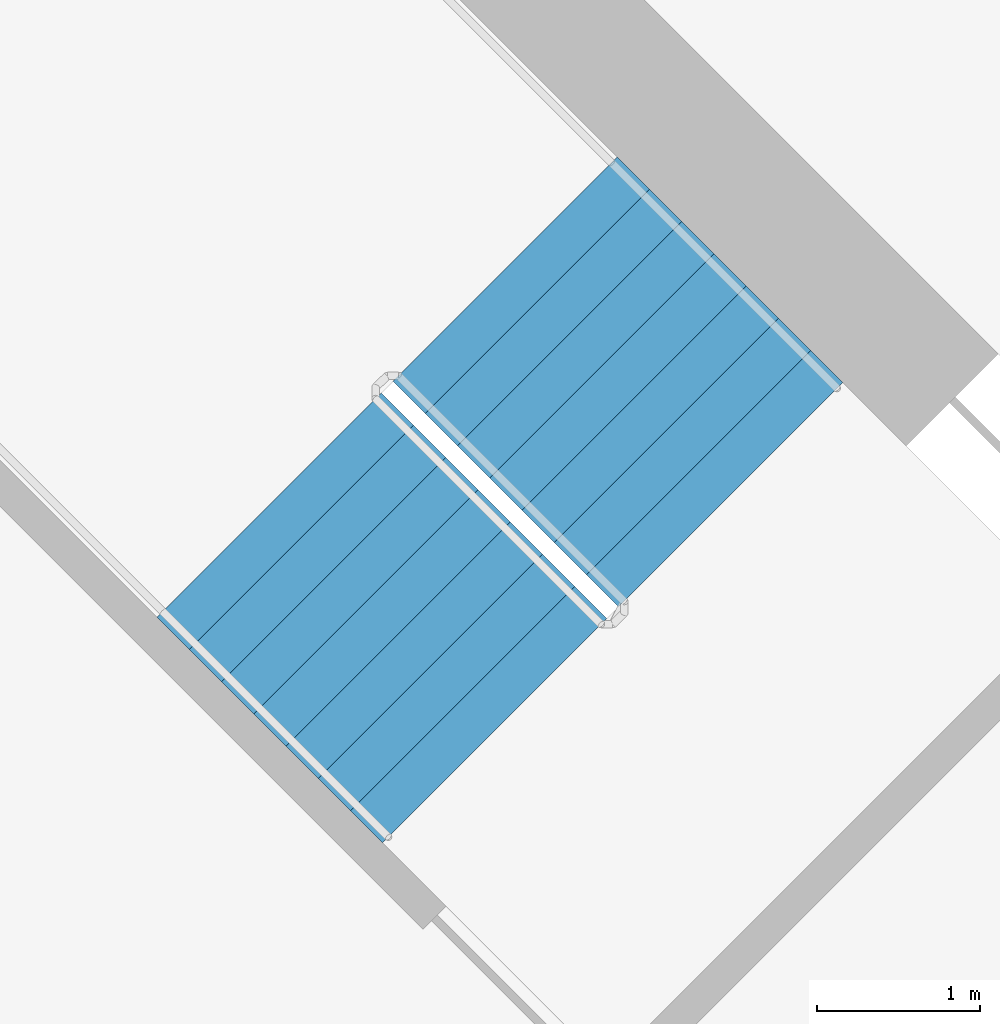
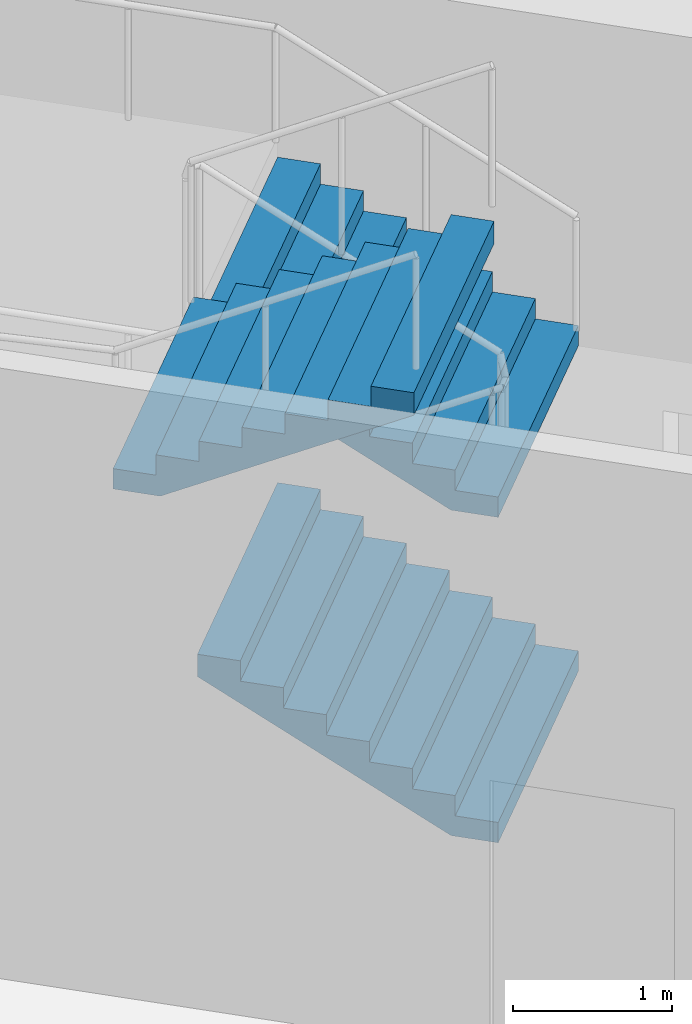
# One storey, part 18 of 20: 3 stair flights, 1 element without a shape of its own.
"""IFC4 building model written with IfcOpenShell, lengths in metres."""

from ifc_helpers import new_model, si_unit, direction, frame, origin, place, context, subcontext, project, spatial, triangles, material, type_object, element, aggregate, save


model = new_model("IFC4")

# Units and contexts
model_context = context("Model", 3, precision=1e-05, world=origin(), true_north=direction((0.0, 1.0)))
body_context = subcontext(model_context, "Body", "Model", "MODEL_VIEW")
ifc_project = project(units=[si_unit("LENGTHUNIT", "METRE"), si_unit("AREAUNIT", "SQUARE_METRE"), si_unit("VOLUMEUNIT", "CUBIC_METRE"), si_unit("PLANEANGLEUNIT", "RADIAN"), si_unit("MASSUNIT", "GRAM", prefix="KILO")], contexts=[model_context])

# Site, building, storey
site_placement = place(None, origin())
site = spatial("IfcSite", under=ifc_project, at=site_placement, CompositionType="ELEMENT")
building_placement = place(site_placement, origin())
building = spatial("IfcBuilding", under=site, at=building_placement, Name="Verdalira Terraces Hotel", CompositionType="ELEMENT")
storey_placement = place(building_placement, frame((0.0, 0.0, 81.0)))
storey = spatial("IfcBuildingStorey", under=building, at=storey_placement, Name="L18", CompositionType="ELEMENT", Elevation=81.0)

# Stair, stair flights
ifc_material_1 = material(Name="Concrete C40", Category="concrete")
stair_type = type_object("IfcStairType", Name="Core stair 32 risers 1950 mm wide", PredefinedType="HALF_TURN_STAIR", material=ifc_material_1)
stair_placement = place(storey_placement, origin())
stair = element("IfcStair", 1, at=stair_placement, inside=storey, type_object=stair_type, Name="L18 Exit stair ST1", PredefinedType="HALF_TURN_STAIR")
ifc_material_2 = material(Name="Concrete C40", Category="concrete")
stair_flight_type = type_object("IfcStairFlightType", Name="Core stair flight 32 risers 1950 mm wide", PredefinedType="STRAIGHT", material=ifc_material_2)
stair_flight_1_placement = place(storey_placement, frame((10.023193, 7.265625, 0.0), z_axis=(0.0, 0.0, 1.0), x_axis=(-0.707106781, 0.707106781, 0.0)))
stair_flight_1 = element("IfcStairFlight", 2, at=stair_flight_1_placement, type_object=stair_flight_type, Name="ST1 flight 1", NumberOfRisers=8, NumberOfTreads=7, PredefinedType="STRAIGHT", RiserHeight=0.15625, TreadLength=0.28, context=body_context, shape_type="Tessellation", body=[
    triangles([(0.0, 0.974976, 0.0), (0.307617, 0.974976, 0.0), (1.959961, 0.974976, 0.922119), (0.0, -0.974976, 0.0), (0.307617, -0.974976, 0.0), (1.959961, -0.974976, 0.922119), (1.959961, 0.974976, 1.09375), (1.679932, 0.974976, 1.09375), (1.959961, -0.974976, 1.09375), (1.679932, -0.974976, 1.09375), (1.679932, 0.974976, 0.9375), (1.679932, -0.974976, 0.9375), (1.399902, 0.974976, 0.9375), (1.399902, -0.974976, 0.9375), (1.399902, 0.974976, 0.78125), (1.399902, -0.974976, 0.78125), (1.120117, 0.974976, 0.78125), (1.120117, 0.974976, 0.625), (1.120117, -0.974976, 0.78125), (1.120117, -0.974976, 0.625), (0.840088, 0.974976, 0.625), (0.840088, 0.974976, 0.46875), (0.840088, -0.974976, 0.625), (0.840088, -0.974976, 0.46875), (0.560059, 0.974976, 0.46875), (0.560059, 0.974976, 0.3125), (0.560059, -0.974976, 0.46875), (0.560059, -0.974976, 0.3125), (0.280029, 0.974976, 0.3125), (0.280029, 0.974976, 0.15625), (0.280029, -0.974976, 0.3125), (0.280029, -0.974976, 0.15625), (0.0, 0.974976, 0.15625), (0.0, -0.974976, 0.15625), (0.0, -0.91404, 0.0), (0.0, -0.91404, 0.15625), (0.0, -0.853104, 0.0), (0.0, -0.853104, 0.15625), (0.0, -0.792168, 0.0), (0.0, -0.792168, 0.15625), (0.0, -0.731232, 0.0), (0.0, -0.731232, 0.15625), (0.0, -0.670296, 0.0), (0.0, -0.670296, 0.15625), (0.0, -0.60936, 0.0), (0.0, -0.60936, 0.15625), (0.0, -0.548424, 0.0), (0.0, -0.548424, 0.15625), (0.0, -0.487488, 0.0), (0.0, -0.487488, 0.15625), (0.0, -0.426552, 0.0), (0.0, -0.426552, 0.15625), (0.0, -0.365616, 0.0), (0.0, -0.365616, 0.15625), (0.0, -0.30468, 0.0), (0.0, -0.30468, 0.15625), (0.0, -0.243744, 0.0), (0.0, -0.243744, 0.15625), (0.0, -0.182808, 0.0), (0.0, -0.182808, 0.15625), (0.0, -0.121872, 0.0), (0.0, -0.121872, 0.15625), (0.0, -0.060936, 0.0), (0.0, -0.060936, 0.15625), (0.0, 0.0, 0.0), (0.0, 0.0, 0.15625), (0.0, 0.060936, 0.0), (0.0, 0.060936, 0.15625), (0.0, 0.121872, 0.0), (0.0, 0.121872, 0.15625), (0.0, 0.182808, 0.0), (0.0, 0.182808, 0.15625), (0.0, 0.243744, 0.0), (0.0, 0.243744, 0.15625), (0.0, 0.30468, 0.0), (0.0, 0.30468, 0.15625), (0.0, 0.365616, 0.0), (0.0, 0.365616, 0.15625), (0.0, 0.426552, 0.0), (0.0, 0.426552, 0.15625), (0.0, 0.487488, 0.0), (0.0, 0.487488, 0.15625), (0.0, 0.548424, 0.0), (0.0, 0.548424, 0.15625), (0.0, 0.60936, 0.0), (0.0, 0.60936, 0.15625), (0.0, 0.670296, 0.0), (0.0, 0.670296, 0.15625), (0.0, 0.731232, 0.0), (0.0, 0.731232, 0.15625), (0.0, 0.792168, 0.0), (0.0, 0.792168, 0.15625), (0.0, 0.853104, 0.0), (0.0, 0.853104, 0.15625), (0.0, 0.91404, 0.0), (0.0, 0.91404, 0.15625), (1.959961, -0.91404, 1.09375), (1.959961, -0.853104, 1.09375), (1.959961, -0.792168, 1.09375), (1.959961, -0.731232, 1.09375), (1.959961, -0.670296, 1.09375), (1.959961, -0.60936, 1.09375), (1.959961, -0.548424, 1.09375), (1.959961, -0.487488, 1.09375), (1.959961, -0.426552, 1.09375), (1.959961, -0.365616, 1.09375), (1.959961, -0.30468, 1.09375), (1.959961, -0.243744, 1.09375), (1.959961, -0.182808, 1.09375), (1.959961, -0.121872, 1.09375), (1.959961, -0.060936, 1.09375), (1.959961, 0.0, 1.09375), (1.959961, 0.060936, 1.09375), (1.959961, 0.121872, 1.09375), (1.959961, 0.182808, 1.09375), (1.959961, 0.243744, 1.09375), (1.959961, 0.30468, 1.09375), (1.959961, 0.365616, 1.09375), (1.959961, 0.426552, 1.09375), (1.959961, 0.487488, 1.09375), (1.959961, 0.548424, 1.09375), (1.959961, 0.60936, 1.09375), (1.959961, 0.670296, 1.09375), (1.959961, 0.731232, 1.09375), (1.959961, 0.792168, 1.09375), (1.959961, 0.853104, 1.09375), (1.959961, 0.91404, 1.09375), (1.959961, -0.91404, 0.922119), (1.959961, -0.853104, 0.922119), (1.959961, -0.792168, 0.922119), (1.959961, -0.731232, 0.922119), (1.959961, -0.670296, 0.922119), (1.959961, -0.60936, 0.922119), (1.959961, -0.548424, 0.922119), (1.959961, -0.487488, 0.922119), (1.959961, -0.426552, 0.922119), (1.959961, -0.365616, 0.922119), (1.959961, -0.30468, 0.922119), (1.959961, -0.243744, 0.922119), (1.959961, -0.182808, 0.922119), (1.959961, -0.121872, 0.922119), (1.959961, -0.060936, 0.922119), (1.959961, 0.0, 0.922119), (1.959961, 0.060936, 0.922119), (1.959961, 0.121872, 0.922119), (1.959961, 0.182808, 0.922119), (1.959961, 0.243744, 0.922119), (1.959961, 0.30468, 0.922119), (1.959961, 0.365616, 0.922119), (1.959961, 0.426552, 0.922119), (1.959961, 0.487488, 0.922119), (1.959961, 0.548424, 0.922119), (1.959961, 0.60936, 0.922119), (1.959961, 0.670296, 0.922119), (1.959961, 0.731232, 0.922119), (1.959961, 0.792168, 0.922119), (1.959961, 0.853104, 0.922119), (1.959961, 0.91404, 0.922119)], [[1, 3, 2], [4, 5, 6], [3, 8, 7], [6, 9, 10], [3, 11, 8], [6, 10, 12], [3, 13, 11], [6, 12, 14], [3, 15, 13], [6, 14, 16], [15, 18, 17], [16, 19, 20], [3, 18, 15], [6, 16, 20], [18, 22, 21], [20, 23, 24], [3, 22, 18], [6, 20, 24], [22, 26, 25], [24, 27, 28], [3, 26, 22], [6, 24, 28], [26, 30, 29], [28, 31, 32], [3, 30, 26], [6, 28, 32], [1, 30, 3], [4, 6, 32], [30, 1, 33], [32, 34, 4], [4, 36, 35], [4, 34, 36], [35, 38, 37], [35, 36, 38], [37, 40, 39], [37, 38, 40], [39, 42, 41], [39, 40, 42], [41, 44, 43], [41, 42, 44], [43, 46, 45], [43, 44, 46], [45, 48, 47], [45, 46, 48], [47, 50, 49], [47, 48, 50], [49, 52, 51], [49, 50, 52], [51, 54, 53], [51, 52, 54], [53, 56, 55], [53, 54, 56], [55, 58, 57], [55, 56, 58], [57, 60, 59], [57, 58, 60], [59, 62, 61], [59, 60, 62], [61, 64, 63], [61, 62, 64], [63, 66, 65], [63, 64, 66], [65, 68, 67], [65, 66, 68], [67, 70, 69], [67, 68, 70], [69, 72, 71], [69, 70, 72], [71, 74, 73], [71, 72, 74], [73, 76, 75], [73, 74, 76], [75, 78, 77], [75, 76, 78], [77, 80, 79], [77, 78, 80], [79, 82, 81], [79, 80, 82], [81, 84, 83], [81, 82, 84], [83, 86, 85], [83, 84, 86], [85, 88, 87], [85, 86, 88], [87, 90, 89], [87, 88, 90], [89, 92, 91], [89, 90, 92], [91, 94, 93], [91, 92, 94], [93, 96, 95], [93, 94, 96], [95, 33, 1], [95, 96, 33], [34, 32, 36], [36, 32, 38], [38, 32, 40], [40, 32, 42], [42, 32, 44], [44, 32, 46], [46, 32, 48], [48, 32, 50], [50, 32, 52], [52, 32, 54], [54, 32, 56], [56, 32, 58], [58, 32, 60], [60, 32, 62], [62, 32, 64], [64, 32, 66], [66, 32, 68], [68, 32, 70], [70, 32, 72], [72, 32, 74], [74, 32, 76], [76, 32, 78], [78, 32, 80], [80, 32, 82], [82, 32, 84], [84, 32, 86], [86, 32, 88], [88, 32, 90], [90, 32, 92], [92, 32, 94], [94, 32, 96], [96, 32, 33], [33, 32, 30], [32, 29, 30], [32, 31, 29], [31, 26, 29], [31, 28, 26], [28, 25, 26], [28, 27, 25], [27, 22, 25], [27, 24, 22], [24, 21, 22], [24, 23, 21], [23, 18, 21], [23, 20, 18], [20, 17, 18], [20, 19, 17], [19, 15, 17], [19, 16, 15], [16, 13, 15], [16, 14, 13], [14, 11, 13], [14, 12, 11], [12, 8, 11], [12, 10, 8], [9, 97, 10], [97, 98, 10], [98, 99, 10], [99, 100, 10], [100, 101, 10], [101, 102, 10], [102, 103, 10], [103, 104, 10], [104, 105, 10], [105, 106, 10], [106, 107, 10], [107, 108, 10], [108, 109, 10], [109, 110, 10], [110, 111, 10], [111, 112, 10], [112, 113, 10], [113, 114, 10], [114, 115, 10], [115, 116, 10], [116, 117, 10], [117, 118, 10], [118, 119, 10], [119, 120, 10], [120, 121, 10], [121, 122, 10], [122, 123, 10], [123, 124, 10], [124, 125, 10], [125, 126, 10], [126, 127, 10], [127, 7, 10], [7, 8, 10], [9, 128, 97], [9, 6, 128], [97, 129, 98], [97, 128, 129], [98, 130, 99], [98, 129, 130], [99, 131, 100], [99, 130, 131], [100, 132, 101], [100, 131, 132], [101, 133, 102], [101, 132, 133], [102, 134, 103], [102, 133, 134], [103, 135, 104], [103, 134, 135], [104, 136, 105], [104, 135, 136], [105, 137, 106], [105, 136, 137], [106, 138, 107], [106, 137, 138], [107, 139, 108], [107, 138, 139], [108, 140, 109], [108, 139, 140], [109, 141, 110], [109, 140, 141], [110, 142, 111], [110, 141, 142], [111, 143, 112], [111, 142, 143], [112, 144, 113], [112, 143, 144], [113, 145, 114], [113, 144, 145], [114, 146, 115], [114, 145, 146], [115, 147, 116], [115, 146, 147], [116, 148, 117], [116, 147, 148], [117, 149, 118], [117, 148, 149], [118, 150, 119], [118, 149, 150], [119, 151, 120], [119, 150, 151], [120, 152, 121], [120, 151, 152], [121, 153, 122], [121, 152, 153], [122, 154, 123], [122, 153, 154], [123, 155, 124], [123, 154, 155], [124, 156, 125], [124, 155, 156], [125, 157, 126], [125, 156, 157], [126, 158, 127], [126, 157, 158], [127, 3, 7], [127, 158, 3], [6, 5, 128], [128, 5, 129], [129, 5, 130], [130, 5, 131], [131, 5, 132], [132, 5, 133], [133, 5, 134], [134, 5, 135], [135, 5, 136], [136, 5, 137], [137, 5, 138], [138, 5, 139], [139, 5, 140], [140, 5, 141], [141, 5, 142], [142, 5, 143], [143, 5, 144], [144, 5, 145], [145, 5, 146], [146, 5, 147], [147, 5, 148], [148, 5, 149], [149, 5, 150], [150, 5, 151], [151, 5, 152], [152, 5, 153], [153, 5, 154], [154, 5, 155], [155, 5, 156], [156, 5, 157], [157, 5, 158], [158, 5, 3], [3, 5, 2], [4, 35, 5], [35, 37, 5], [37, 39, 5], [39, 41, 5], [41, 43, 5], [43, 45, 5], [45, 47, 5], [47, 49, 5], [49, 51, 5], [51, 53, 5], [53, 55, 5], [55, 57, 5], [57, 59, 5], [59, 61, 5], [61, 63, 5], [63, 65, 5], [65, 67, 5], [67, 69, 5], [69, 71, 5], [71, 73, 5], [73, 75, 5], [75, 77, 5], [77, 79, 5], [79, 81, 5], [81, 83, 5], [83, 85, 5], [85, 87, 5], [87, 89, 5], [89, 91, 5], [91, 93, 5], [93, 95, 5], [95, 1, 5], [1, 2, 5]], closed=True),
])
stair_flight_2_placement = place(storey_placement, frame((10.023193, 7.265625, 2.5), z_axis=(0.0, 0.0, 1.0), x_axis=(-0.707106781, 0.707106781, 0.0)))
stair_flight_2 = element("IfcStairFlight", 3, at=stair_flight_2_placement, type_object=stair_flight_type, Name="ST1 flight 3", NumberOfRisers=8, NumberOfTreads=7, PredefinedType="STRAIGHT", RiserHeight=0.15625, TreadLength=0.28, context=body_context, shape_type="Tessellation", body=[
    triangles([(0.0, 0.974976, 0.0), (0.307617, 0.974976, 0.0), (1.959961, 0.974976, 0.922119), (0.0, -0.974976, 0.0), (0.307617, -0.974976, 0.0), (1.959961, -0.974976, 0.922119), (1.959961, 0.974976, 1.09375), (1.679932, 0.974976, 1.09375), (1.959961, -0.974976, 1.09375), (1.679932, -0.974976, 1.09375), (1.679932, 0.974976, 0.9375), (1.679932, -0.974976, 0.9375), (1.399902, 0.974976, 0.9375), (1.399902, -0.974976, 0.9375), (1.399902, 0.974976, 0.78125), (1.399902, -0.974976, 0.78125), (1.120117, 0.974976, 0.78125), (1.120117, 0.974976, 0.625), (1.120117, -0.974976, 0.78125), (1.120117, -0.974976, 0.625), (0.840088, 0.974976, 0.625), (0.840088, 0.974976, 0.46875), (0.840088, -0.974976, 0.625), (0.840088, -0.974976, 0.46875), (0.560059, 0.974976, 0.46875), (0.560059, 0.974976, 0.3125), (0.560059, -0.974976, 0.46875), (0.560059, -0.974976, 0.3125), (0.280029, 0.974976, 0.3125), (0.280029, 0.974976, 0.15625), (0.280029, -0.974976, 0.3125), (0.280029, -0.974976, 0.15625), (0.0, 0.974976, 0.15625), (0.0, -0.974976, 0.15625), (0.0, -0.91404, 0.0), (0.0, -0.91404, 0.15625), (0.0, -0.853104, 0.0), (0.0, -0.853104, 0.15625), (0.0, -0.792168, 0.0), (0.0, -0.792168, 0.15625), (0.0, -0.731232, 0.0), (0.0, -0.731232, 0.15625), (0.0, -0.670296, 0.0), (0.0, -0.670296, 0.15625), (0.0, -0.60936, 0.0), (0.0, -0.60936, 0.15625), (0.0, -0.548424, 0.0), (0.0, -0.548424, 0.15625), (0.0, -0.487488, 0.0), (0.0, -0.487488, 0.15625), (0.0, -0.426552, 0.0), (0.0, -0.426552, 0.15625), (0.0, -0.365616, 0.0), (0.0, -0.365616, 0.15625), (0.0, -0.30468, 0.0), (0.0, -0.30468, 0.15625), (0.0, -0.243744, 0.0), (0.0, -0.243744, 0.15625), (0.0, -0.182808, 0.0), (0.0, -0.182808, 0.15625), (0.0, -0.121872, 0.0), (0.0, -0.121872, 0.15625), (0.0, -0.060936, 0.0), (0.0, -0.060936, 0.15625), (0.0, 0.0, 0.0), (0.0, 0.0, 0.15625), (0.0, 0.060936, 0.0), (0.0, 0.060936, 0.15625), (0.0, 0.121872, 0.0), (0.0, 0.121872, 0.15625), (0.0, 0.182808, 0.0), (0.0, 0.182808, 0.15625), (0.0, 0.243744, 0.0), (0.0, 0.243744, 0.15625), (0.0, 0.30468, 0.0), (0.0, 0.30468, 0.15625), (0.0, 0.365616, 0.0), (0.0, 0.365616, 0.15625), (0.0, 0.426552, 0.0), (0.0, 0.426552, 0.15625), (0.0, 0.487488, 0.0), (0.0, 0.487488, 0.15625), (0.0, 0.548424, 0.0), (0.0, 0.548424, 0.15625), (0.0, 0.60936, 0.0), (0.0, 0.60936, 0.15625), (0.0, 0.670296, 0.0), (0.0, 0.670296, 0.15625), (0.0, 0.731232, 0.0), (0.0, 0.731232, 0.15625), (0.0, 0.792168, 0.0), (0.0, 0.792168, 0.15625), (0.0, 0.853104, 0.0), (0.0, 0.853104, 0.15625), (0.0, 0.91404, 0.0), (0.0, 0.91404, 0.15625), (1.959961, -0.91404, 1.09375), (1.959961, -0.853104, 1.09375), (1.959961, -0.792168, 1.09375), (1.959961, -0.731232, 1.09375), (1.959961, -0.670296, 1.09375), (1.959961, -0.60936, 1.09375), (1.959961, -0.548424, 1.09375), (1.959961, -0.487488, 1.09375), (1.959961, -0.426552, 1.09375), (1.959961, -0.365616, 1.09375), (1.959961, -0.30468, 1.09375), (1.959961, -0.243744, 1.09375), (1.959961, -0.182808, 1.09375), (1.959961, -0.121872, 1.09375), (1.959961, -0.060936, 1.09375), (1.959961, 0.0, 1.09375), (1.959961, 0.060936, 1.09375), (1.959961, 0.121872, 1.09375), (1.959961, 0.182808, 1.09375), (1.959961, 0.243744, 1.09375), (1.959961, 0.30468, 1.09375), (1.959961, 0.365616, 1.09375), (1.959961, 0.426552, 1.09375), (1.959961, 0.487488, 1.09375), (1.959961, 0.548424, 1.09375), (1.959961, 0.60936, 1.09375), (1.959961, 0.670296, 1.09375), (1.959961, 0.731232, 1.09375), (1.959961, 0.792168, 1.09375), (1.959961, 0.853104, 1.09375), (1.959961, 0.91404, 1.09375), (1.959961, -0.91404, 0.922119), (1.959961, -0.853104, 0.922119), (1.959961, -0.792168, 0.922119), (1.959961, -0.731232, 0.922119), (1.959961, -0.670296, 0.922119), (1.959961, -0.60936, 0.922119), (1.959961, -0.548424, 0.922119), (1.959961, -0.487488, 0.922119), (1.959961, -0.426552, 0.922119), (1.959961, -0.365616, 0.922119), (1.959961, -0.30468, 0.922119), (1.959961, -0.243744, 0.922119), (1.959961, -0.182808, 0.922119), (1.959961, -0.121872, 0.922119), (1.959961, -0.060936, 0.922119), (1.959961, 0.0, 0.922119), (1.959961, 0.060936, 0.922119), (1.959961, 0.121872, 0.922119), (1.959961, 0.182808, 0.922119), (1.959961, 0.243744, 0.922119), (1.959961, 0.30468, 0.922119), (1.959961, 0.365616, 0.922119), (1.959961, 0.426552, 0.922119), (1.959961, 0.487488, 0.922119), (1.959961, 0.548424, 0.922119), (1.959961, 0.60936, 0.922119), (1.959961, 0.670296, 0.922119), (1.959961, 0.731232, 0.922119), (1.959961, 0.792168, 0.922119), (1.959961, 0.853104, 0.922119), (1.959961, 0.91404, 0.922119)], [[1, 3, 2], [4, 5, 6], [3, 8, 7], [6, 9, 10], [3, 11, 8], [6, 10, 12], [3, 13, 11], [6, 12, 14], [3, 15, 13], [6, 14, 16], [15, 18, 17], [16, 19, 20], [3, 18, 15], [6, 16, 20], [18, 22, 21], [20, 23, 24], [3, 22, 18], [6, 20, 24], [22, 26, 25], [24, 27, 28], [3, 26, 22], [6, 24, 28], [26, 30, 29], [28, 31, 32], [3, 30, 26], [6, 28, 32], [1, 30, 3], [4, 6, 32], [30, 1, 33], [32, 34, 4], [4, 36, 35], [4, 34, 36], [35, 38, 37], [35, 36, 38], [37, 40, 39], [37, 38, 40], [39, 42, 41], [39, 40, 42], [41, 44, 43], [41, 42, 44], [43, 46, 45], [43, 44, 46], [45, 48, 47], [45, 46, 48], [47, 50, 49], [47, 48, 50], [49, 52, 51], [49, 50, 52], [51, 54, 53], [51, 52, 54], [53, 56, 55], [53, 54, 56], [55, 58, 57], [55, 56, 58], [57, 60, 59], [57, 58, 60], [59, 62, 61], [59, 60, 62], [61, 64, 63], [61, 62, 64], [63, 66, 65], [63, 64, 66], [65, 68, 67], [65, 66, 68], [67, 70, 69], [67, 68, 70], [69, 72, 71], [69, 70, 72], [71, 74, 73], [71, 72, 74], [73, 76, 75], [73, 74, 76], [75, 78, 77], [75, 76, 78], [77, 80, 79], [77, 78, 80], [79, 82, 81], [79, 80, 82], [81, 84, 83], [81, 82, 84], [83, 86, 85], [83, 84, 86], [85, 88, 87], [85, 86, 88], [87, 90, 89], [87, 88, 90], [89, 92, 91], [89, 90, 92], [91, 94, 93], [91, 92, 94], [93, 96, 95], [93, 94, 96], [95, 33, 1], [95, 96, 33], [34, 32, 36], [36, 32, 38], [38, 32, 40], [40, 32, 42], [42, 32, 44], [44, 32, 46], [46, 32, 48], [48, 32, 50], [50, 32, 52], [52, 32, 54], [54, 32, 56], [56, 32, 58], [58, 32, 60], [60, 32, 62], [62, 32, 64], [64, 32, 66], [66, 32, 68], [68, 32, 70], [70, 32, 72], [72, 32, 74], [74, 32, 76], [76, 32, 78], [78, 32, 80], [80, 32, 82], [82, 32, 84], [84, 32, 86], [86, 32, 88], [88, 32, 90], [90, 32, 92], [92, 32, 94], [94, 32, 96], [96, 32, 33], [33, 32, 30], [32, 29, 30], [32, 31, 29], [31, 26, 29], [31, 28, 26], [28, 25, 26], [28, 27, 25], [27, 22, 25], [27, 24, 22], [24, 21, 22], [24, 23, 21], [23, 18, 21], [23, 20, 18], [20, 17, 18], [20, 19, 17], [19, 15, 17], [19, 16, 15], [16, 13, 15], [16, 14, 13], [14, 11, 13], [14, 12, 11], [12, 8, 11], [12, 10, 8], [9, 97, 10], [97, 98, 10], [98, 99, 10], [99, 100, 10], [100, 101, 10], [101, 102, 10], [102, 103, 10], [103, 104, 10], [104, 105, 10], [105, 106, 10], [106, 107, 10], [107, 108, 10], [108, 109, 10], [109, 110, 10], [110, 111, 10], [111, 112, 10], [112, 113, 10], [113, 114, 10], [114, 115, 10], [115, 116, 10], [116, 117, 10], [117, 118, 10], [118, 119, 10], [119, 120, 10], [120, 121, 10], [121, 122, 10], [122, 123, 10], [123, 124, 10], [124, 125, 10], [125, 126, 10], [126, 127, 10], [127, 7, 10], [7, 8, 10], [9, 128, 97], [9, 6, 128], [97, 129, 98], [97, 128, 129], [98, 130, 99], [98, 129, 130], [99, 131, 100], [99, 130, 131], [100, 132, 101], [100, 131, 132], [101, 133, 102], [101, 132, 133], [102, 134, 103], [102, 133, 134], [103, 135, 104], [103, 134, 135], [104, 136, 105], [104, 135, 136], [105, 137, 106], [105, 136, 137], [106, 138, 107], [106, 137, 138], [107, 139, 108], [107, 138, 139], [108, 140, 109], [108, 139, 140], [109, 141, 110], [109, 140, 141], [110, 142, 111], [110, 141, 142], [111, 143, 112], [111, 142, 143], [112, 144, 113], [112, 143, 144], [113, 145, 114], [113, 144, 145], [114, 146, 115], [114, 145, 146], [115, 147, 116], [115, 146, 147], [116, 148, 117], [116, 147, 148], [117, 149, 118], [117, 148, 149], [118, 150, 119], [118, 149, 150], [119, 151, 120], [119, 150, 151], [120, 152, 121], [120, 151, 152], [121, 153, 122], [121, 152, 153], [122, 154, 123], [122, 153, 154], [123, 155, 124], [123, 154, 155], [124, 156, 125], [124, 155, 156], [125, 157, 126], [125, 156, 157], [126, 158, 127], [126, 157, 158], [127, 3, 7], [127, 158, 3], [6, 5, 128], [128, 5, 129], [129, 5, 130], [130, 5, 131], [131, 5, 132], [132, 5, 133], [133, 5, 134], [134, 5, 135], [135, 5, 136], [136, 5, 137], [137, 5, 138], [138, 5, 139], [139, 5, 140], [140, 5, 141], [141, 5, 142], [142, 5, 143], [143, 5, 144], [144, 5, 145], [145, 5, 146], [146, 5, 147], [147, 5, 148], [148, 5, 149], [149, 5, 150], [150, 5, 151], [151, 5, 152], [152, 5, 153], [153, 5, 154], [154, 5, 155], [155, 5, 156], [156, 5, 157], [157, 5, 158], [158, 5, 3], [3, 5, 2], [4, 35, 5], [35, 37, 5], [37, 39, 5], [39, 41, 5], [41, 43, 5], [43, 45, 5], [45, 47, 5], [47, 49, 5], [49, 51, 5], [51, 53, 5], [53, 55, 5], [55, 57, 5], [57, 59, 5], [59, 61, 5], [61, 63, 5], [63, 65, 5], [65, 67, 5], [67, 69, 5], [69, 71, 5], [71, 73, 5], [73, 75, 5], [75, 77, 5], [77, 79, 5], [79, 81, 5], [81, 83, 5], [83, 85, 5], [85, 87, 5], [87, 89, 5], [89, 91, 5], [91, 93, 5], [93, 95, 5], [95, 1, 5], [1, 2, 5]], closed=True),
])
stair_flight_3_placement = place(storey_placement, frame((7.187744, 7.201904, 3.75), z_axis=(0.0, 0.0, 1.0), x_axis=(0.707106781, -0.707106781, 0.0)))
stair_flight_3 = element("IfcStairFlight", 4, at=stair_flight_3_placement, type_object=stair_flight_type, Name="ST1 flight 4", NumberOfRisers=8, NumberOfTreads=7, PredefinedType="STRAIGHT", RiserHeight=0.15625, TreadLength=0.28, context=body_context, shape_type="Tessellation", body=[
    triangles([(0.0, 0.974976, 0.0), (0.307617, 0.974976, 0.0), (1.959961, 0.974976, 0.922119), (0.0, -0.974976, 0.0), (0.307617, -0.974976, 0.0), (1.959961, -0.974976, 0.922119), (1.959961, 0.974976, 1.09375), (1.679932, 0.974976, 1.09375), (1.959961, -0.974976, 1.09375), (1.679932, -0.974976, 1.09375), (1.679932, 0.974976, 0.9375), (1.679932, -0.974976, 0.9375), (1.399902, 0.974976, 0.9375), (1.399902, -0.974976, 0.9375), (1.399902, 0.974976, 0.78125), (1.399902, -0.974976, 0.78125), (1.120117, 0.974976, 0.78125), (1.120117, 0.974976, 0.625), (1.120117, -0.974976, 0.78125), (1.120117, -0.974976, 0.625), (0.840088, 0.974976, 0.625), (0.840088, 0.974976, 0.46875), (0.840088, -0.974976, 0.625), (0.840088, -0.974976, 0.46875), (0.560059, 0.974976, 0.46875), (0.560059, 0.974976, 0.3125), (0.560059, -0.974976, 0.46875), (0.560059, -0.974976, 0.3125), (0.280029, 0.974976, 0.3125), (0.280029, 0.974976, 0.15625), (0.280029, -0.974976, 0.3125), (0.280029, -0.974976, 0.15625), (0.0, 0.974976, 0.15625), (0.0, -0.974976, 0.15625), (0.0, -0.91404, 0.0), (0.0, -0.91404, 0.15625), (0.0, -0.853104, 0.0), (0.0, -0.853104, 0.15625), (0.0, -0.792168, 0.0), (0.0, -0.792168, 0.15625), (0.0, -0.731232, 0.0), (0.0, -0.731232, 0.15625), (0.0, -0.670296, 0.0), (0.0, -0.670296, 0.15625), (0.0, -0.60936, 0.0), (0.0, -0.60936, 0.15625), (0.0, -0.548424, 0.0), (0.0, -0.548424, 0.15625), (0.0, -0.487488, 0.0), (0.0, -0.487488, 0.15625), (0.0, -0.426552, 0.0), (0.0, -0.426552, 0.15625), (0.0, -0.365616, 0.0), (0.0, -0.365616, 0.15625), (0.0, -0.30468, 0.0), (0.0, -0.30468, 0.15625), (0.0, -0.243744, 0.0), (0.0, -0.243744, 0.15625), (0.0, -0.182808, 0.0), (0.0, -0.182808, 0.15625), (0.0, -0.121872, 0.0), (0.0, -0.121872, 0.15625), (0.0, -0.060936, 0.0), (0.0, -0.060936, 0.15625), (0.0, 0.0, 0.0), (0.0, 0.0, 0.15625), (0.0, 0.060936, 0.0), (0.0, 0.060936, 0.15625), (0.0, 0.121872, 0.0), (0.0, 0.121872, 0.15625), (0.0, 0.182808, 0.0), (0.0, 0.182808, 0.15625), (0.0, 0.243744, 0.0), (0.0, 0.243744, 0.15625), (0.0, 0.30468, 0.0), (0.0, 0.30468, 0.15625), (0.0, 0.365616, 0.0), (0.0, 0.365616, 0.15625), (0.0, 0.426552, 0.0), (0.0, 0.426552, 0.15625), (0.0, 0.487488, 0.0), (0.0, 0.487488, 0.15625), (0.0, 0.548424, 0.0), (0.0, 0.548424, 0.15625), (0.0, 0.60936, 0.0), (0.0, 0.60936, 0.15625), (0.0, 0.670296, 0.0), (0.0, 0.670296, 0.15625), (0.0, 0.731232, 0.0), (0.0, 0.731232, 0.15625), (0.0, 0.792168, 0.0), (0.0, 0.792168, 0.15625), (0.0, 0.853104, 0.0), (0.0, 0.853104, 0.15625), (0.0, 0.91404, 0.0), (0.0, 0.91404, 0.15625), (1.959961, -0.91404, 1.09375), (1.959961, -0.853104, 1.09375), (1.959961, -0.792168, 1.09375), (1.959961, -0.731232, 1.09375), (1.959961, -0.670296, 1.09375), (1.959961, -0.60936, 1.09375), (1.959961, -0.548424, 1.09375), (1.959961, -0.487488, 1.09375), (1.959961, -0.426552, 1.09375), (1.959961, -0.365616, 1.09375), (1.959961, -0.30468, 1.09375), (1.959961, -0.243744, 1.09375), (1.959961, -0.182808, 1.09375), (1.959961, -0.121872, 1.09375), (1.959961, -0.060936, 1.09375), (1.959961, 0.0, 1.09375), (1.959961, 0.060936, 1.09375), (1.959961, 0.121872, 1.09375), (1.959961, 0.182808, 1.09375), (1.959961, 0.243744, 1.09375), (1.959961, 0.30468, 1.09375), (1.959961, 0.365616, 1.09375), (1.959961, 0.426552, 1.09375), (1.959961, 0.487488, 1.09375), (1.959961, 0.548424, 1.09375), (1.959961, 0.60936, 1.09375), (1.959961, 0.670296, 1.09375), (1.959961, 0.731232, 1.09375), (1.959961, 0.792168, 1.09375), (1.959961, 0.853104, 1.09375), (1.959961, 0.91404, 1.09375), (1.959961, -0.91404, 0.922119), (1.959961, -0.853104, 0.922119), (1.959961, -0.792168, 0.922119), (1.959961, -0.731232, 0.922119), (1.959961, -0.670296, 0.922119), (1.959961, -0.60936, 0.922119), (1.959961, -0.548424, 0.922119), (1.959961, -0.487488, 0.922119), (1.959961, -0.426552, 0.922119), (1.959961, -0.365616, 0.922119), (1.959961, -0.30468, 0.922119), (1.959961, -0.243744, 0.922119), (1.959961, -0.182808, 0.922119), (1.959961, -0.121872, 0.922119), (1.959961, -0.060936, 0.922119), (1.959961, 0.0, 0.922119), (1.959961, 0.060936, 0.922119), (1.959961, 0.121872, 0.922119), (1.959961, 0.182808, 0.922119), (1.959961, 0.243744, 0.922119), (1.959961, 0.30468, 0.922119), (1.959961, 0.365616, 0.922119), (1.959961, 0.426552, 0.922119), (1.959961, 0.487488, 0.922119), (1.959961, 0.548424, 0.922119), (1.959961, 0.60936, 0.922119), (1.959961, 0.670296, 0.922119), (1.959961, 0.731232, 0.922119), (1.959961, 0.792168, 0.922119), (1.959961, 0.853104, 0.922119), (1.959961, 0.91404, 0.922119)], [[1, 3, 2], [4, 5, 6], [3, 8, 7], [6, 9, 10], [3, 11, 8], [6, 10, 12], [3, 13, 11], [6, 12, 14], [3, 15, 13], [6, 14, 16], [15, 18, 17], [16, 19, 20], [3, 18, 15], [6, 16, 20], [18, 22, 21], [20, 23, 24], [3, 22, 18], [6, 20, 24], [22, 26, 25], [24, 27, 28], [3, 26, 22], [6, 24, 28], [26, 30, 29], [28, 31, 32], [3, 30, 26], [6, 28, 32], [1, 30, 3], [4, 6, 32], [30, 1, 33], [32, 34, 4], [4, 36, 35], [4, 34, 36], [35, 38, 37], [35, 36, 38], [37, 40, 39], [37, 38, 40], [39, 42, 41], [39, 40, 42], [41, 44, 43], [41, 42, 44], [43, 46, 45], [43, 44, 46], [45, 48, 47], [45, 46, 48], [47, 50, 49], [47, 48, 50], [49, 52, 51], [49, 50, 52], [51, 54, 53], [51, 52, 54], [53, 56, 55], [53, 54, 56], [55, 58, 57], [55, 56, 58], [57, 60, 59], [57, 58, 60], [59, 62, 61], [59, 60, 62], [61, 64, 63], [61, 62, 64], [63, 66, 65], [63, 64, 66], [65, 68, 67], [65, 66, 68], [67, 70, 69], [67, 68, 70], [69, 72, 71], [69, 70, 72], [71, 74, 73], [71, 72, 74], [73, 76, 75], [73, 74, 76], [75, 78, 77], [75, 76, 78], [77, 80, 79], [77, 78, 80], [79, 82, 81], [79, 80, 82], [81, 84, 83], [81, 82, 84], [83, 86, 85], [83, 84, 86], [85, 88, 87], [85, 86, 88], [87, 90, 89], [87, 88, 90], [89, 92, 91], [89, 90, 92], [91, 94, 93], [91, 92, 94], [93, 96, 95], [93, 94, 96], [95, 33, 1], [95, 96, 33], [34, 32, 36], [36, 32, 38], [38, 32, 40], [40, 32, 42], [42, 32, 44], [44, 32, 46], [46, 32, 48], [48, 32, 50], [50, 32, 52], [52, 32, 54], [54, 32, 56], [56, 32, 58], [58, 32, 60], [60, 32, 62], [62, 32, 64], [64, 32, 66], [66, 32, 68], [68, 32, 70], [70, 32, 72], [72, 32, 74], [74, 32, 76], [76, 32, 78], [78, 32, 80], [80, 32, 82], [82, 32, 84], [84, 32, 86], [86, 32, 88], [88, 32, 90], [90, 32, 92], [92, 32, 94], [94, 32, 96], [96, 32, 33], [33, 32, 30], [32, 29, 30], [32, 31, 29], [31, 26, 29], [31, 28, 26], [28, 25, 26], [28, 27, 25], [27, 22, 25], [27, 24, 22], [24, 21, 22], [24, 23, 21], [23, 18, 21], [23, 20, 18], [20, 17, 18], [20, 19, 17], [19, 15, 17], [19, 16, 15], [16, 13, 15], [16, 14, 13], [14, 11, 13], [14, 12, 11], [12, 8, 11], [12, 10, 8], [9, 97, 10], [97, 98, 10], [98, 99, 10], [99, 100, 10], [100, 101, 10], [101, 102, 10], [102, 103, 10], [103, 104, 10], [104, 105, 10], [105, 106, 10], [106, 107, 10], [107, 108, 10], [108, 109, 10], [109, 110, 10], [110, 111, 10], [111, 112, 10], [112, 113, 10], [113, 114, 10], [114, 115, 10], [115, 116, 10], [116, 117, 10], [117, 118, 10], [118, 119, 10], [119, 120, 10], [120, 121, 10], [121, 122, 10], [122, 123, 10], [123, 124, 10], [124, 125, 10], [125, 126, 10], [126, 127, 10], [127, 7, 10], [7, 8, 10], [9, 128, 97], [9, 6, 128], [97, 129, 98], [97, 128, 129], [98, 130, 99], [98, 129, 130], [99, 131, 100], [99, 130, 131], [100, 132, 101], [100, 131, 132], [101, 133, 102], [101, 132, 133], [102, 134, 103], [102, 133, 134], [103, 135, 104], [103, 134, 135], [104, 136, 105], [104, 135, 136], [105, 137, 106], [105, 136, 137], [106, 138, 107], [106, 137, 138], [107, 139, 108], [107, 138, 139], [108, 140, 109], [108, 139, 140], [109, 141, 110], [109, 140, 141], [110, 142, 111], [110, 141, 142], [111, 143, 112], [111, 142, 143], [112, 144, 113], [112, 143, 144], [113, 145, 114], [113, 144, 145], [114, 146, 115], [114, 145, 146], [115, 147, 116], [115, 146, 147], [116, 148, 117], [116, 147, 148], [117, 149, 118], [117, 148, 149], [118, 150, 119], [118, 149, 150], [119, 151, 120], [119, 150, 151], [120, 152, 121], [120, 151, 152], [121, 153, 122], [121, 152, 153], [122, 154, 123], [122, 153, 154], [123, 155, 124], [123, 154, 155], [124, 156, 125], [124, 155, 156], [125, 157, 126], [125, 156, 157], [126, 158, 127], [126, 157, 158], [127, 3, 7], [127, 158, 3], [6, 5, 128], [128, 5, 129], [129, 5, 130], [130, 5, 131], [131, 5, 132], [132, 5, 133], [133, 5, 134], [134, 5, 135], [135, 5, 136], [136, 5, 137], [137, 5, 138], [138, 5, 139], [139, 5, 140], [140, 5, 141], [141, 5, 142], [142, 5, 143], [143, 5, 144], [144, 5, 145], [145, 5, 146], [146, 5, 147], [147, 5, 148], [148, 5, 149], [149, 5, 150], [150, 5, 151], [151, 5, 152], [152, 5, 153], [153, 5, 154], [154, 5, 155], [155, 5, 156], [156, 5, 157], [157, 5, 158], [158, 5, 3], [3, 5, 2], [4, 35, 5], [35, 37, 5], [37, 39, 5], [39, 41, 5], [41, 43, 5], [43, 45, 5], [45, 47, 5], [47, 49, 5], [49, 51, 5], [51, 53, 5], [53, 55, 5], [55, 57, 5], [57, 59, 5], [59, 61, 5], [61, 63, 5], [63, 65, 5], [65, 67, 5], [67, 69, 5], [69, 71, 5], [71, 73, 5], [73, 75, 5], [75, 77, 5], [77, 79, 5], [79, 81, 5], [81, 83, 5], [83, 85, 5], [85, 87, 5], [87, 89, 5], [89, 91, 5], [91, 93, 5], [93, 95, 5], [95, 1, 5], [1, 2, 5]], closed=True),
])
aggregate(stair, [stair_flight_1, stair_flight_2, stair_flight_3])

save(model, "model.ifc")
